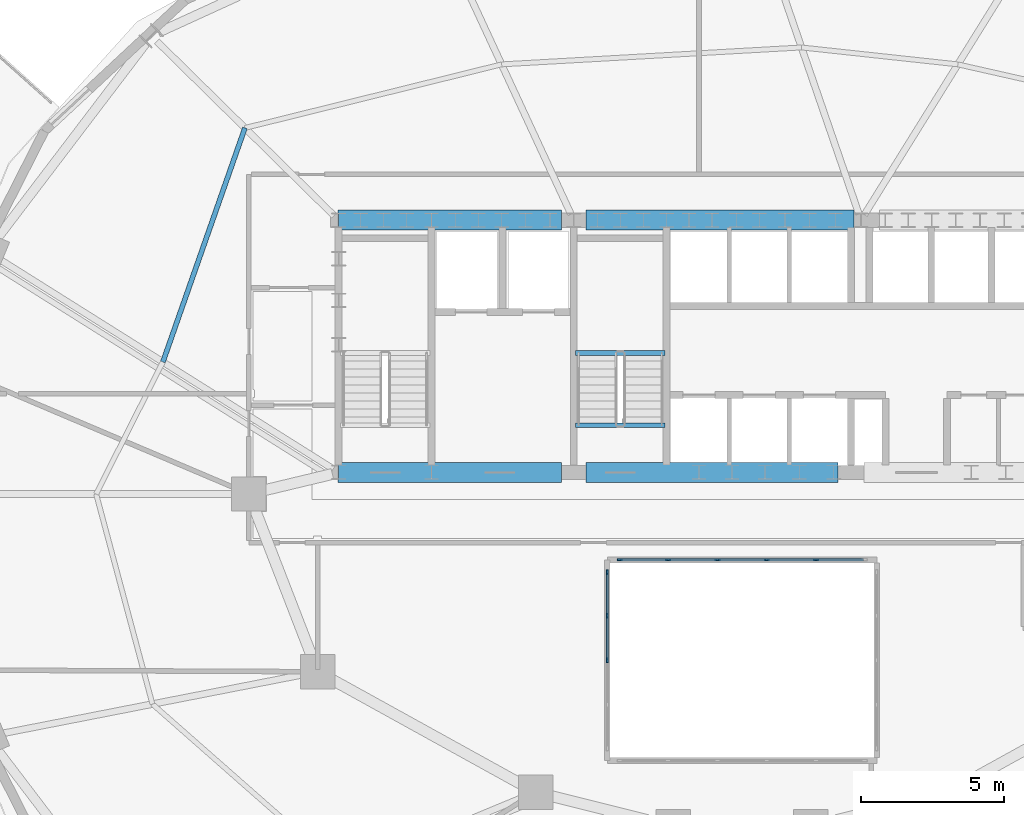
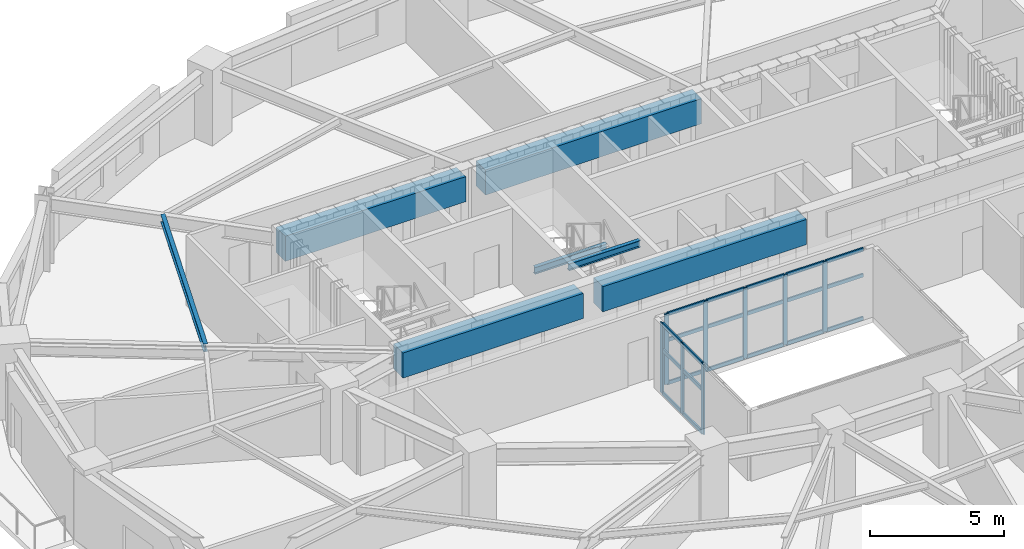
# One storey, part 3 of 12: 29 members, 7 beams, 2 elements without a shape of their own.
"""IFC4 building model written with IfcOpenShell, lengths in metres."""

from ifc_helpers import new_model, si_unit, direction, frame, origin, origin_2d, place, context, subcontext, project, spatial, rectangle, i_section, extrude, material, material_profile, profile_set, type_object, element, aggregate, save


model = new_model("IFC4")

# Units and contexts
model_context = context("Model", 3, precision=1e-05, world=origin(), true_north=direction((0.0, 1.0)))
body_context = subcontext(model_context, "Body", "Model", "MODEL_VIEW")
ifc_project = project(units=[si_unit("LENGTHUNIT", "METRE"), si_unit("AREAUNIT", "SQUARE_METRE"), si_unit("VOLUMEUNIT", "CUBIC_METRE"), si_unit("PLANEANGLEUNIT", "RADIAN"), si_unit("MASSUNIT", "GRAM", prefix="KILO")], contexts=[model_context])

# Site, building, storey
site_placement = place(None, origin())
site = spatial("IfcSite", under=ifc_project, at=site_placement, CompositionType="ELEMENT")
building_placement = place(site_placement, origin())
building = spatial("IfcBuilding", under=site, at=building_placement, Name="Haldorwick Loom Tower", CompositionType="ELEMENT")
storey_placement = place(building_placement, frame((0.0, 0.0, 110.449951171875)))
storey = spatial("IfcBuildingStorey", under=building, at=storey_placement, Name="L29", CompositionType="ELEMENT", Elevation=110.449951171875)

# Curtain wall, members
ifc_material_1 = material(Name="Thermally Broken Anodized Aluminium Curtain Wall Framing", Category="aluminium")
curtain_wall_type = type_object("IfcCurtainWallType", Name="ARC-CW-03", PredefinedType="NOTDEFINED", material=ifc_material_1)
curtain_wall_1_placement = place(storey_placement, origin())
curtain_wall_1 = element("IfcCurtainWall", 1, at=curtain_wall_1_placement, inside=storey, type_object=curtain_wall_type, Name="L29 Atrium Glazed Screen N", PredefinedType="NOTDEFINED")
ifc_material_profile_1 = material_profile(ifc_material_1, rectangle(XDim=0.06591796875, YDim=0.18505859375, at=origin_2d()), Name="ALU_MUL_66X185", Category="aluminium")
ifc_profile_set_1 = profile_set([ifc_material_profile_1], Name="Thermally Broken Anodized Aluminium Curtain Wall Framing")
member_type_1 = type_object("IfcMemberType", Name="ARC-CWM-03", PredefinedType="MULLION", material=ifc_profile_set_1)
member_1_placement = place(storey_placement, frame((31.73291015625, 23.699951171875, 0.0), z_axis=(0.0, 0.0, 1.0), x_axis=(0.0, 1.0, 0.0)))
member_1 = element("IfcMember", 2, at=member_1_placement, type_object=member_type_1, Name="CW-03 mullion 1", PredefinedType="MULLION", context=body_context, shape_type="SweptSolid", body=[
    extrude(rectangle(XDim=0.06591796875, YDim=0.18505859375, at=origin_2d()), origin(), (0.0, 0.0, 1.0), 3.2099609375),
])
member_2_placement = place(storey_placement, frame((33.419921875, 23.699951171875, 0.0), z_axis=(0.0, 0.0, 1.0), x_axis=(0.0, 1.0, 0.0)))
member_2 = element("IfcMember", 3, at=member_2_placement, type_object=member_type_1, Name="CW-03 mullion 2", PredefinedType="MULLION", context=body_context, shape_type="SweptSolid", body=[
    extrude(rectangle(XDim=0.06591796875, YDim=0.18505859375, at=origin_2d()), origin(), (0.0, 0.0, 1.0), 3.2099609375),
])
member_3_placement = place(storey_placement, frame((35.139892578125, 23.699951171875, 0.0), z_axis=(0.0, 0.0, 1.0), x_axis=(0.0, 1.0, 0.0)))
member_3 = element("IfcMember", 4, at=member_3_placement, type_object=member_type_1, Name="CW-03 mullion 3", PredefinedType="MULLION", context=body_context, shape_type="SweptSolid", body=[
    extrude(rectangle(XDim=0.06591796875, YDim=0.18505859375, at=origin_2d()), origin(), (0.0, 0.0, 1.0), 3.2099609375),
])
member_4_placement = place(storey_placement, frame((36.860107421875, 23.699951171875, 0.0), z_axis=(0.0, 0.0, 1.0), x_axis=(0.0, 1.0, 0.0)))
member_4 = element("IfcMember", 5, at=member_4_placement, type_object=member_type_1, Name="CW-03 mullion 4", PredefinedType="MULLION", context=body_context, shape_type="SweptSolid", body=[
    extrude(rectangle(XDim=0.06591796875, YDim=0.18505859375, at=origin_2d()), origin(), (0.0, 0.0, 1.0), 3.2099609375),
])
member_5_placement = place(storey_placement, frame((38.580078125, 23.699951171875, 0.0), z_axis=(0.0, 0.0, 1.0), x_axis=(0.0, 1.0, 0.0)))
member_5 = element("IfcMember", 6, at=member_5_placement, type_object=member_type_1, Name="CW-03 mullion 5", PredefinedType="MULLION", context=body_context, shape_type="SweptSolid", body=[
    extrude(rectangle(XDim=0.06591796875, YDim=0.18505859375, at=origin_2d()), origin(), (0.0, 0.0, 1.0), 3.2099609375),
])

curtain_wall_2_placement = place(storey_placement, origin())
curtain_wall_2 = element("IfcCurtainWall", 7, at=curtain_wall_2_placement, inside=storey, type_object=curtain_wall_type, Name="L29 Atrium Glazed Screen W", PredefinedType="NOTDEFINED")
member_6_placement = place(storey_placement, frame((31.300048828125, 20.199951171875, 0.0), z_axis=(0.0, 0.0, 1.0), x_axis=(-1.0, 0.0, 0.0)))
member_6 = element("IfcMember", 8, at=member_6_placement, type_object=member_type_1, Name="CW-03 mullion 3", PredefinedType="MULLION", context=body_context, shape_type="SweptSolid", body=[
    extrude(rectangle(XDim=0.06591796875, YDim=0.18505859375, at=origin_2d()), origin(), (0.0, 0.0, 1.0), 3.2099609375),
])
member_7_placement = place(storey_placement, frame((31.300048828125, 21.75, 0.0), z_axis=(0.0, 0.0, 1.0), x_axis=(-1.0, 0.0, 0.0)))
member_7 = element("IfcMember", 9, at=member_7_placement, type_object=member_type_1, Name="CW-03 mullion 4", PredefinedType="MULLION", context=body_context, shape_type="SweptSolid", body=[
    extrude(rectangle(XDim=0.06591796875, YDim=0.18505859375, at=origin_2d()), origin(), (0.0, 0.0, 1.0), 3.2099609375),
])
member_8_placement = place(storey_placement, frame((31.300048828125, 23.26708984375, 0.0), z_axis=(0.0, 0.0, 1.0), x_axis=(-1.0, 0.0, 0.0)))
member_8 = element("IfcMember", 10, at=member_8_placement, type_object=member_type_1, Name="CW-03 mullion 5", PredefinedType="MULLION", context=body_context, shape_type="SweptSolid", body=[
    extrude(rectangle(XDim=0.06591796875, YDim=0.18505859375, at=origin_2d()), origin(), (0.0, 0.0, 1.0), 3.2099609375),
])

# Member
ifc_material_profile_2 = material_profile(ifc_material_1, rectangle(XDim=0.06591796875, YDim=0.1650390625, at=origin_2d()), Name="ALU_TRN_66X165", Category="aluminium")
ifc_profile_set_2 = profile_set([ifc_material_profile_2], Name="Thermally Broken Anodized Aluminium Curtain Wall Framing")
member_type_2 = type_object("IfcMemberType", Name="ARC-CWT-03", PredefinedType="USERDEFINED", material=ifc_profile_set_2)
member_9_placement = place(storey_placement, frame((31.76611328125, 23.699951171875, 0.032958984375), z_axis=(1.0, 0.0, 0.0), x_axis=(0.0, 1.0, 0.0)))
member_9 = element("IfcMember", 11, at=member_9_placement, type_object=member_type_2, Name="CW-03 transom 1.1", ObjectType="TRANSOM", PredefinedType="USERDEFINED", context=body_context, shape_type="SweptSolid", body=[
    extrude(rectangle(XDim=0.06591796875, YDim=0.1650390625, at=origin_2d()), origin(), (0.0, 0.0, 1.0), 1.620849609375),
])

member_10_placement = place(storey_placement, frame((31.76611328125, 23.699951171875, 2.0), z_axis=(1.0, 0.0, 0.0), x_axis=(0.0, 1.0, 0.0)))
member_10 = element("IfcMember", 12, at=member_10_placement, type_object=member_type_2, Name="CW-03 transom 1.2", ObjectType="TRANSOM", PredefinedType="USERDEFINED", context=body_context, shape_type="SweptSolid", body=[
    extrude(rectangle(XDim=0.06591796875, YDim=0.1650390625, at=origin_2d()), origin(), (0.0, 0.0, 1.0), 1.620849609375),
])

member_11_placement = place(storey_placement, frame((31.76611328125, 23.699951171875, 3.177001953125), z_axis=(1.0, 0.0, 0.0), x_axis=(0.0, 1.0, 0.0)))
member_11 = element("IfcMember", 13, at=member_11_placement, type_object=member_type_2, Name="CW-03 transom 1.3", ObjectType="TRANSOM", PredefinedType="USERDEFINED", context=body_context, shape_type="SweptSolid", body=[
    extrude(rectangle(XDim=0.06591796875, YDim=0.1650390625, at=origin_2d()), origin(), (0.0, 0.0, 1.0), 1.620849609375),
])

member_12_placement = place(storey_placement, frame((33.452880859375, 23.699951171875, 0.032958984375), z_axis=(1.0, 0.0, 0.0), x_axis=(0.0, 1.0, 0.0)))
member_12 = element("IfcMember", 14, at=member_12_placement, type_object=member_type_2, Name="CW-03 transom 2.1", ObjectType="TRANSOM", PredefinedType="USERDEFINED", context=body_context, shape_type="SweptSolid", body=[
    extrude(rectangle(XDim=0.06591796875, YDim=0.1650390625, at=origin_2d()), origin(), (0.0, 0.0, 1.0), 1.654052734375),
])

member_13_placement = place(storey_placement, frame((33.452880859375, 23.699951171875, 2.0), z_axis=(1.0, 0.0, 0.0), x_axis=(0.0, 1.0, 0.0)))
member_13 = element("IfcMember", 15, at=member_13_placement, type_object=member_type_2, Name="CW-03 transom 2.2", ObjectType="TRANSOM", PredefinedType="USERDEFINED", context=body_context, shape_type="SweptSolid", body=[
    extrude(rectangle(XDim=0.06591796875, YDim=0.1650390625, at=origin_2d()), origin(), (0.0, 0.0, 1.0), 1.654052734375),
])

member_14_placement = place(storey_placement, frame((33.452880859375, 23.699951171875, 3.177001953125), z_axis=(1.0, 0.0, 0.0), x_axis=(0.0, 1.0, 0.0)))
member_14 = element("IfcMember", 16, at=member_14_placement, type_object=member_type_2, Name="CW-03 transom 2.3", ObjectType="TRANSOM", PredefinedType="USERDEFINED", context=body_context, shape_type="SweptSolid", body=[
    extrude(rectangle(XDim=0.06591796875, YDim=0.1650390625, at=origin_2d()), origin(), (0.0, 0.0, 1.0), 1.654052734375),
])

member_15_placement = place(storey_placement, frame((35.173095703125, 23.699951171875, 0.032958984375), z_axis=(1.0, 0.0, 0.0), x_axis=(0.0, 1.0, 0.0)))
member_15 = element("IfcMember", 17, at=member_15_placement, type_object=member_type_2, Name="CW-03 transom 3.1", ObjectType="TRANSOM", PredefinedType="USERDEFINED", context=body_context, shape_type="SweptSolid", body=[
    extrude(rectangle(XDim=0.06591796875, YDim=0.1650390625, at=origin_2d()), origin(), (0.0, 0.0, 1.0), 1.65380859375),
])

member_16_placement = place(storey_placement, frame((35.173095703125, 23.699951171875, 2.0), z_axis=(1.0, 0.0, 0.0), x_axis=(0.0, 1.0, 0.0)))
member_16 = element("IfcMember", 18, at=member_16_placement, type_object=member_type_2, Name="CW-03 transom 3.2", ObjectType="TRANSOM", PredefinedType="USERDEFINED", context=body_context, shape_type="SweptSolid", body=[
    extrude(rectangle(XDim=0.06591796875, YDim=0.1650390625, at=origin_2d()), origin(), (0.0, 0.0, 1.0), 1.65380859375),
])

member_17_placement = place(storey_placement, frame((35.173095703125, 23.699951171875, 3.177001953125), z_axis=(1.0, 0.0, 0.0), x_axis=(0.0, 1.0, 0.0)))
member_17 = element("IfcMember", 19, at=member_17_placement, type_object=member_type_2, Name="CW-03 transom 3.3", ObjectType="TRANSOM", PredefinedType="USERDEFINED", context=body_context, shape_type="SweptSolid", body=[
    extrude(rectangle(XDim=0.06591796875, YDim=0.1650390625, at=origin_2d()), origin(), (0.0, 0.0, 1.0), 1.65380859375),
])

member_18_placement = place(storey_placement, frame((36.89306640625, 23.699951171875, 0.032958984375), z_axis=(1.0, 0.0, 0.0), x_axis=(0.0, 1.0, 0.0)))
member_18 = element("IfcMember", 20, at=member_18_placement, type_object=member_type_2, Name="CW-03 transom 4.1", ObjectType="TRANSOM", PredefinedType="USERDEFINED", context=body_context, shape_type="SweptSolid", body=[
    extrude(rectangle(XDim=0.06591796875, YDim=0.1650390625, at=origin_2d()), origin(), (0.0, 0.0, 1.0), 1.654052734375),
])

member_19_placement = place(storey_placement, frame((36.89306640625, 23.699951171875, 2.0), z_axis=(1.0, 0.0, 0.0), x_axis=(0.0, 1.0, 0.0)))
member_19 = element("IfcMember", 21, at=member_19_placement, type_object=member_type_2, Name="CW-03 transom 4.2", ObjectType="TRANSOM", PredefinedType="USERDEFINED", context=body_context, shape_type="SweptSolid", body=[
    extrude(rectangle(XDim=0.06591796875, YDim=0.1650390625, at=origin_2d()), origin(), (0.0, 0.0, 1.0), 1.654052734375),
])

member_20_placement = place(storey_placement, frame((36.89306640625, 23.699951171875, 3.177001953125), z_axis=(1.0, 0.0, 0.0), x_axis=(0.0, 1.0, 0.0)))
member_20 = element("IfcMember", 22, at=member_20_placement, type_object=member_type_2, Name="CW-03 transom 4.3", ObjectType="TRANSOM", PredefinedType="USERDEFINED", context=body_context, shape_type="SweptSolid", body=[
    extrude(rectangle(XDim=0.06591796875, YDim=0.1650390625, at=origin_2d()), origin(), (0.0, 0.0, 1.0), 1.654052734375),
])

member_21_placement = place(storey_placement, frame((38.613037109375, 23.699951171875, 0.032958984375), z_axis=(1.0, 0.0, 0.0), x_axis=(0.0, 1.0, 0.0)))
member_21 = element("IfcMember", 23, at=member_21_placement, type_object=member_type_2, Name="CW-03 transom 5.1", ObjectType="TRANSOM", PredefinedType="USERDEFINED", context=body_context, shape_type="SweptSolid", body=[
    extrude(rectangle(XDim=0.06591796875, YDim=0.1650390625, at=origin_2d()), origin(), (0.0, 0.0, 1.0), 1.620849609375),
])

member_22_placement = place(storey_placement, frame((38.613037109375, 23.699951171875, 2.0), z_axis=(1.0, 0.0, 0.0), x_axis=(0.0, 1.0, 0.0)))
member_22 = element("IfcMember", 24, at=member_22_placement, type_object=member_type_2, Name="CW-03 transom 5.2", ObjectType="TRANSOM", PredefinedType="USERDEFINED", context=body_context, shape_type="SweptSolid", body=[
    extrude(rectangle(XDim=0.06591796875, YDim=0.1650390625, at=origin_2d()), origin(), (0.0, 0.0, 1.0), 1.620849609375),
])

member_23_placement = place(storey_placement, frame((38.613037109375, 23.699951171875, 3.177001953125), z_axis=(1.0, 0.0, 0.0), x_axis=(0.0, 1.0, 0.0)))
member_23 = element("IfcMember", 25, at=member_23_placement, type_object=member_type_2, Name="CW-03 transom 5.3", ObjectType="TRANSOM", PredefinedType="USERDEFINED", context=body_context, shape_type="SweptSolid", body=[
    extrude(rectangle(XDim=0.06591796875, YDim=0.1650390625, at=origin_2d()), origin(), (0.0, 0.0, 1.0), 1.620849609375),
])

aggregate(curtain_wall_1, [member_1, member_2, member_3, member_4, member_5, member_9, member_10, member_11, member_12, member_13, member_14, member_15, member_16, member_17, member_18, member_19, member_20, member_21, member_22, member_23])

member_24_placement = place(storey_placement, frame((31.300048828125, 20.23291015625, 0.032958984375), z_axis=(0.0, 1.0, 0.0), x_axis=(-1.0, 0.0, 0.0)))
member_24 = element("IfcMember", 26, at=member_24_placement, type_object=member_type_2, Name="CW-03 transom 3.1", ObjectType="TRANSOM", PredefinedType="USERDEFINED", context=body_context, shape_type="SweptSolid", body=[
    extrude(rectangle(XDim=0.06591796875, YDim=0.1650390625, at=origin_2d()), origin(), (0.0, 0.0, 1.0), 1.484130859375),
])

member_25_placement = place(storey_placement, frame((31.300048828125, 20.23291015625, 2.0), z_axis=(0.0, 1.0, 0.0), x_axis=(-1.0, 0.0, 0.0)))
member_25 = element("IfcMember", 27, at=member_25_placement, type_object=member_type_2, Name="CW-03 transom 3.2", ObjectType="TRANSOM", PredefinedType="USERDEFINED", context=body_context, shape_type="SweptSolid", body=[
    extrude(rectangle(XDim=0.06591796875, YDim=0.1650390625, at=origin_2d()), origin(), (0.0, 0.0, 1.0), 1.484130859375),
])

member_26_placement = place(storey_placement, frame((31.300048828125, 20.23291015625, 3.177001953125), z_axis=(0.0, 1.0, 0.0), x_axis=(-1.0, 0.0, 0.0)))
member_26 = element("IfcMember", 28, at=member_26_placement, type_object=member_type_2, Name="CW-03 transom 3.3", ObjectType="TRANSOM", PredefinedType="USERDEFINED", context=body_context, shape_type="SweptSolid", body=[
    extrude(rectangle(XDim=0.06591796875, YDim=0.1650390625, at=origin_2d()), origin(), (0.0, 0.0, 1.0), 1.484130859375),
])

member_27_placement = place(storey_placement, frame((31.300048828125, 21.782958984375, 0.032958984375), z_axis=(0.0, 1.0, 0.0), x_axis=(-1.0, 0.0, 0.0)))
member_27 = element("IfcMember", 29, at=member_27_placement, type_object=member_type_2, Name="CW-03 transom 4.1", ObjectType="TRANSOM", PredefinedType="USERDEFINED", context=body_context, shape_type="SweptSolid", body=[
    extrude(rectangle(XDim=0.06591796875, YDim=0.1650390625, at=origin_2d()), origin(), (0.0, 0.0, 1.0), 1.450927734375),
])

member_28_placement = place(storey_placement, frame((31.300048828125, 21.782958984375, 2.0), z_axis=(0.0, 1.0, 0.0), x_axis=(-1.0, 0.0, 0.0)))
member_28 = element("IfcMember", 30, at=member_28_placement, type_object=member_type_2, Name="CW-03 transom 4.2", ObjectType="TRANSOM", PredefinedType="USERDEFINED", context=body_context, shape_type="SweptSolid", body=[
    extrude(rectangle(XDim=0.06591796875, YDim=0.1650390625, at=origin_2d()), origin(), (0.0, 0.0, 1.0), 1.450927734375),
])

member_29_placement = place(storey_placement, frame((31.300048828125, 21.782958984375, 3.177001953125), z_axis=(0.0, 1.0, 0.0), x_axis=(-1.0, 0.0, 0.0)))
member_29 = element("IfcMember", 31, at=member_29_placement, type_object=member_type_2, Name="CW-03 transom 4.3", ObjectType="TRANSOM", PredefinedType="USERDEFINED", context=body_context, shape_type="SweptSolid", body=[
    extrude(rectangle(XDim=0.06591796875, YDim=0.1650390625, at=origin_2d()), origin(), (0.0, 0.0, 1.0), 1.450927734375),
])

aggregate(curtain_wall_2, [member_6, member_7, member_8, member_24, member_25, member_26, member_27, member_28, member_29])

# Beams
ifc_material_2 = material(Name="Concrete C60 (60 MPa)", Category="concrete")
ifc_material_profile_3 = material_profile(ifc_material_2, rectangle(XDim=0.699951171875, YDim=1.14990234375, at=origin_2d()), Name="RC700X1150", Category="concrete")
ifc_profile_set_3 = profile_set([ifc_material_profile_3], Name="Concrete C60 (60 MPa)")
beam_type_1 = type_object("IfcBeamType", Name="STR-BM-CB1150", PredefinedType="LINTEL", material=ifc_profile_set_3)
beam_1_placement = place(storey_placement, frame((21.89990234375, 35.550048828125, 2.635009765625), z_axis=(1.0, 0.0, 0.0), x_axis=(0.0, 1.0, 0.0)))
element("IfcBeam", 32, at=beam_1_placement, inside=storey, type_object=beam_type_1, Name="L29 Core Coupling Beam CB-N1", PredefinedType="LINTEL", context=body_context, shape_type="SweptSolid", body=[
    extrude(rectangle(XDim=0.699951171875, YDim=1.14990234375, at=origin_2d()), origin(), (0.0, 0.0, 1.0), 7.800048828125),
])
beam_2_placement = place(storey_placement, frame((30.550048828125, 35.550048828125, 2.635009765625), z_axis=(1.0, 0.0, 0.0), x_axis=(0.0, 1.0, 0.0)))
element("IfcBeam", 33, at=beam_2_placement, inside=storey, type_object=beam_type_1, Name="L29 Core Coupling Beam CB-N2", PredefinedType="LINTEL", context=body_context, shape_type="SweptSolid", body=[
    extrude(rectangle(XDim=0.699951171875, YDim=1.14990234375, at=origin_2d()), origin(), (0.0, 0.0, 1.0), 9.349853515625),
])
beam_3_placement = place(storey_placement, frame((21.89990234375, 26.75, 2.635009765625), z_axis=(1.0, 0.0, 0.0), x_axis=(0.0, 1.0, 0.0)))
element("IfcBeam", 34, at=beam_3_placement, inside=storey, type_object=beam_type_1, Name="L29 Core Coupling Beam CB-S1", PredefinedType="LINTEL", context=body_context, shape_type="SweptSolid", body=[
    extrude(rectangle(XDim=0.699951171875, YDim=1.14990234375, at=origin_2d()), origin(), (0.0, 0.0, 1.0), 7.800048828125),
])
beam_4_placement = place(storey_placement, frame((30.550048828125, 26.75, 2.635009765625), z_axis=(1.0, 0.0, 0.0), x_axis=(0.0, 1.0, 0.0)))
element("IfcBeam", 35, at=beam_4_placement, inside=storey, type_object=beam_type_1, Name="L29 Core Coupling Beam CB-S2", PredefinedType="LINTEL", context=body_context, shape_type="SweptSolid", body=[
    extrude(rectangle(XDim=0.699951171875, YDim=1.14990234375, at=origin_2d()), origin(), (0.0, 0.0, 1.0), 8.800048828125),
])
ifc_material_3 = material(Name="Steel CSA G40.21 350W", Category="steel")
ifc_material_profile_4 = material_profile(ifc_material_3, i_section(OverallWidth=0.172119140625, OverallDepth=0.35791015625, WebThickness=0.0078125, FlangeThickness=0.01318359375, at=origin_2d()), Name="W360X57", Category="steel")
ifc_profile_set_4 = profile_set([ifc_material_profile_4], Name="Steel CSA G40.21 350W")
beam_type_2 = type_object("IfcBeamType", Name="STR-BM-J360", PredefinedType="JOIST", material=ifc_profile_set_4)
beam_5_placement = place(storey_placement, frame((18.66162109375, 38.765869140625, 3.031005859375), z_axis=(-0.330864603503, -0.943678236556, 0.0), x_axis=(0.943678236556, -0.330864603503, 0.0)))
element("IfcBeam", 36, at=beam_5_placement, inside=storey, type_object=beam_type_2, Name="L29 Mid-Bay Secondary Joist 7", PredefinedType="JOIST", context=body_context, shape_type="SweptSolid", body=[
    extrude(i_section(OverallWidth=0.172119140625, OverallDepth=0.35791015625, WebThickness=0.0078125, FlangeThickness=0.01318359375, at=origin_2d()), origin(), (0.0, 0.0, 1.0), 8.6494140625),
])
ifc_material_profile_5 = material_profile(ifc_material_3, i_section(OverallWidth=0.166015625, OverallDepth=0.31298828125, WebThickness=0.006591796875, FlangeThickness=0.01123046875, at=origin_2d()), Name="W310X45", Category="steel")
ifc_profile_set_5 = profile_set([ifc_material_profile_5], Name="Steel CSA G40.21 350W")
beam_type_3 = type_object("IfcBeamType", Name="STR-BM-STRM", PredefinedType="BEAM", material=ifc_profile_set_5)
for number, where, z_axis, x_axis, name in (
    (37, (30.18994140625, 28.39990234375, 3.053466796875), (1.0, 0.0, 0.0), (0.0, 1.0, 0.0), "L29 Stair ST-03 Landing Edge Trimmer"),
    (38, (30.18994140625, 30.919921875, 1.36865234375), (1.0, 0.0, 0.0), (0.0, 1.0, 0.0), "L29 Stair ST-03 Half-Landing Trimmer 1"),
):
    element("IfcBeam", number, at=place(storey_placement, frame(where, z_axis=z_axis, x_axis=x_axis)), inside=storey, type_object=beam_type_3, Name=name, PredefinedType="BEAM", context=body_context, shape_type="SweptSolid", body=[
        extrude(i_section(OverallWidth=0.166015625, OverallDepth=0.31298828125, WebThickness=0.006591796875, FlangeThickness=0.01123046875, at=origin_2d()), origin(), (0.0, 0.0, 1.0), 3.1201171875),
    ])

save(model, "model.ifc")
